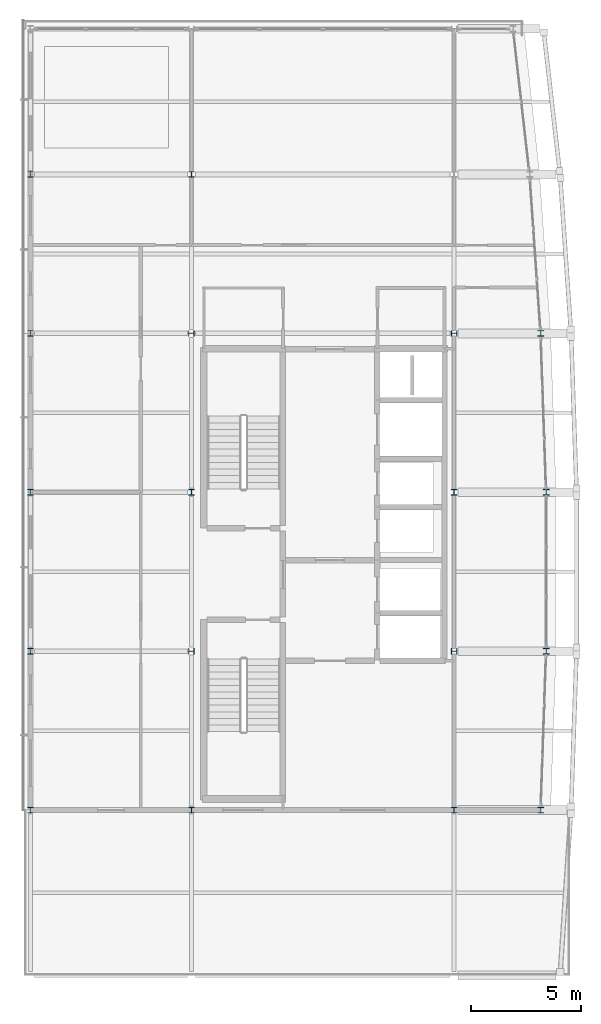
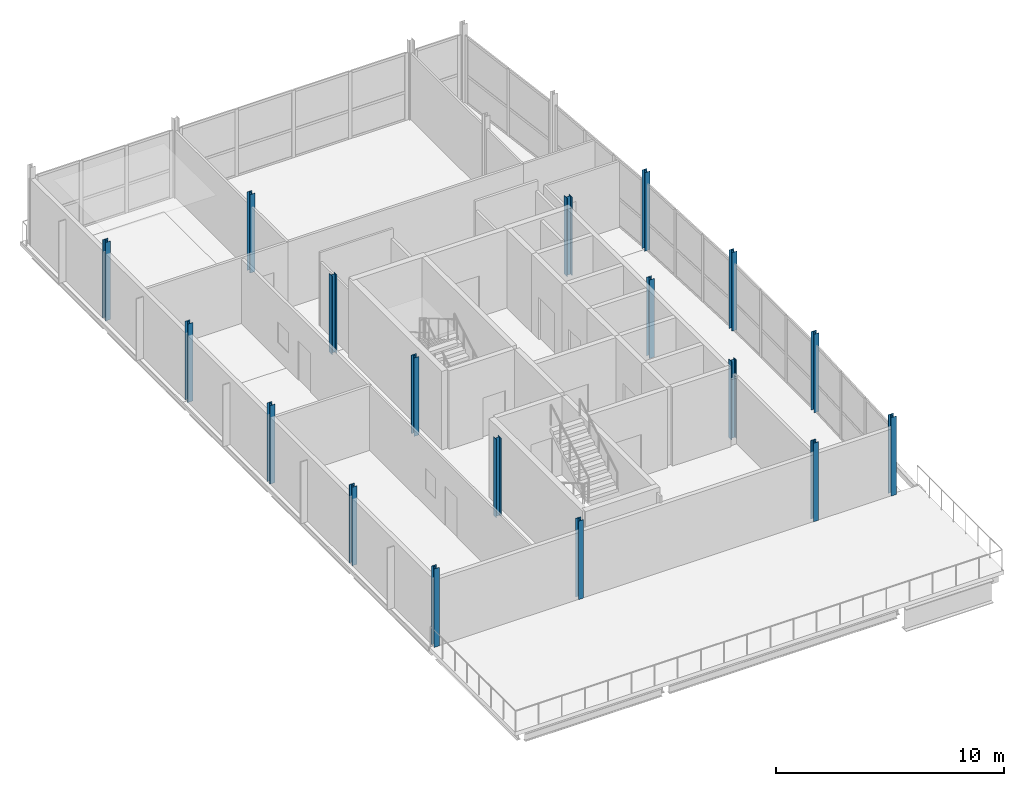
# One storey, part 1 of 17: 18 columns.
"""IFC4 building model written with IfcOpenShell, lengths in metres."""

from ifc_helpers import new_model, si_unit, direction, frame, origin, origin_2d, place, context, subcontext, project, spatial, i_section, extrude, material, material_profile, profile_set, type_object, element, save


model = new_model("IFC4")

# Units and contexts
model_context = context("Model", 3, precision=1e-05, world=origin(), true_north=direction((0.0, 1.0)))
body_context = subcontext(model_context, "Body", "Model", "MODEL_VIEW")
ifc_project = project(units=[si_unit("LENGTHUNIT", "METRE"), si_unit("AREAUNIT", "SQUARE_METRE"), si_unit("VOLUMEUNIT", "CUBIC_METRE"), si_unit("PLANEANGLEUNIT", "RADIAN"), si_unit("MASSUNIT", "GRAM", prefix="KILO")], contexts=[model_context])

# Site, building, storey
site_placement = place(None, origin())
site = spatial("IfcSite", under=ifc_project, at=site_placement, CompositionType="ELEMENT")
building_placement = place(site_placement, origin())
building = spatial("IfcBuilding", under=site, at=building_placement, Name="Quillay Park Conservatory", CompositionType="ELEMENT")
storey_placement = place(building_placement, frame((0.0, 0.0, 60.300048828125)))
storey = spatial("IfcBuildingStorey", under=building, at=storey_placement, Name="L14", CompositionType="ELEMENT", Elevation=60.300048828125)

# Columns
ifc_material = material(Name="Steel ASTM A992 Grade 50", Category="steel")
ifc_material_profile = material_profile(ifc_material, i_section(OverallWidth=0.256103515625, OverallDepth=0.260009765625, WebThickness=0.0107421875, FlangeThickness=0.017333984375, FilletRadius=0.012939453125, at=origin_2d()), Name="W250x89")
ifc_profile_set = profile_set([ifc_material_profile], Name="Steel ASTM A992 Grade 50")
column_type = type_object("IfcColumnType", Name="COMPOSITE STEEL COLUMN W250 X89", PredefinedType="COLUMN", material=ifc_profile_set)
for number, where, z_axis, x_axis, name in (
    (1, (0.550048828125, 78.0, 0.0), (0.0, 0.0, 1.0), (1.0, 0.0, 0.0), "L14 column COL-V4-L14-0-0"),
    (2, (7.85009765625, 78.0, 0.0), (0.0, 0.0, 1.0), (1.0, 0.0, 0.0), "L14 column COL-V4-L14-0-1"),
    (3, (19.75, 78.0, 0.0), (0.0, 0.0, 1.0), (1.0, 0.0, 0.0), "L14 column COL-V4-L14-0-2"),
    (4, (23.675048828125, 78.0, 0.0), (0.0, 0.0, 1.0), (1.0, 0.0, 0.0), "L14 column COL-V4-L14-0-3"),
    (5, (0.550048828125, 85.199951171875, 0.0), (0.0, 0.0, 1.0), (1.0, 0.0, 0.0), "L14 column COL-V4-L14-1-0"),
    (6, (7.85009765625, 85.199951171875, 0.0), (0.0, 0.0, 1.0), (0.0, 1.0, 0.0), "L14 column COL-V4-L14-1-1"),
    (7, (19.75, 85.199951171875, 0.0), (0.0, 0.0, 1.0), (0.0, 1.0, 0.0), "L14 column COL-V4-L14-1-2"),
    (8, (23.925048828125, 85.199951171875, 0.0), (0.0, 0.0, 1.0), (1.0, 0.0, 0.0), "L14 column COL-V4-L14-1-3"),
    (9, (0.550048828125, 92.39990234375, 0.0), (0.0, 0.0, 1.0), (1.0, 0.0, 0.0), "L14 column COL-V4-L14-2-0"),
    (10, (7.85009765625, 92.39990234375, 0.0), (0.0, 0.0, 1.0), (1.0, 0.0, 0.0), "L14 column COL-V4-L14-2-1"),
    (11, (19.75, 92.39990234375, 0.0), (0.0, 0.0, 1.0), (1.0, 0.0, 0.0), "L14 column COL-V4-L14-2-2"),
    (12, (23.925048828125, 92.39990234375, 0.0), (0.0, 0.0, 1.0), (1.0, 0.0, 0.0), "L14 column COL-V4-L14-2-3"),
    (13, (0.550048828125, 99.60009765625, 0.0), (0.0, 0.0, 1.0), (1.0, 0.0, 0.0), "L14 column COL-V4-L14-3-0"),
    (14, (7.85009765625, 99.60009765625, 0.0), (0.0, 0.0, 1.0), (0.0, 1.0, 0.0), "L14 column COL-V4-L14-3-1"),
    (15, (19.75, 99.60009765625, 0.0), (0.0, 0.0, 1.0), (0.0, 1.0, 0.0), "L14 column COL-V4-L14-3-2"),
    (16, (23.675048828125, 99.60009765625, 0.0), (0.0, 0.0, 1.0), (1.0, 0.0, 0.0), "L14 column COL-V4-L14-3-3"),
    (17, (0.550048828125, 106.800048828125, 0.0), (0.0, 0.0, 1.0), (1.0, 0.0, 0.0), "L14 column COL-V4-L14-4-0"),
    (18, (7.85009765625, 106.800048828125, 0.0), (0.0, 0.0, 1.0), (1.0, 0.0, 0.0), "L14 column COL-V4-L14-4-1"),
):
    element("IfcColumn", number, at=place(storey_placement, frame(where, z_axis=z_axis, x_axis=x_axis)), inside=storey, type_object=column_type, Name=name, PredefinedType="COLUMN", context=body_context, shape_type="SweptSolid", body=[
        extrude(i_section(OverallWidth=0.256103515625, OverallDepth=0.260009765625, WebThickness=0.0107421875, FlangeThickness=0.017333984375, FilletRadius=0.012939453125, at=origin_2d()), origin(), (0.0, 0.0, 1.0), 4.199951171875),
    ])

save(model, "model.ifc")
